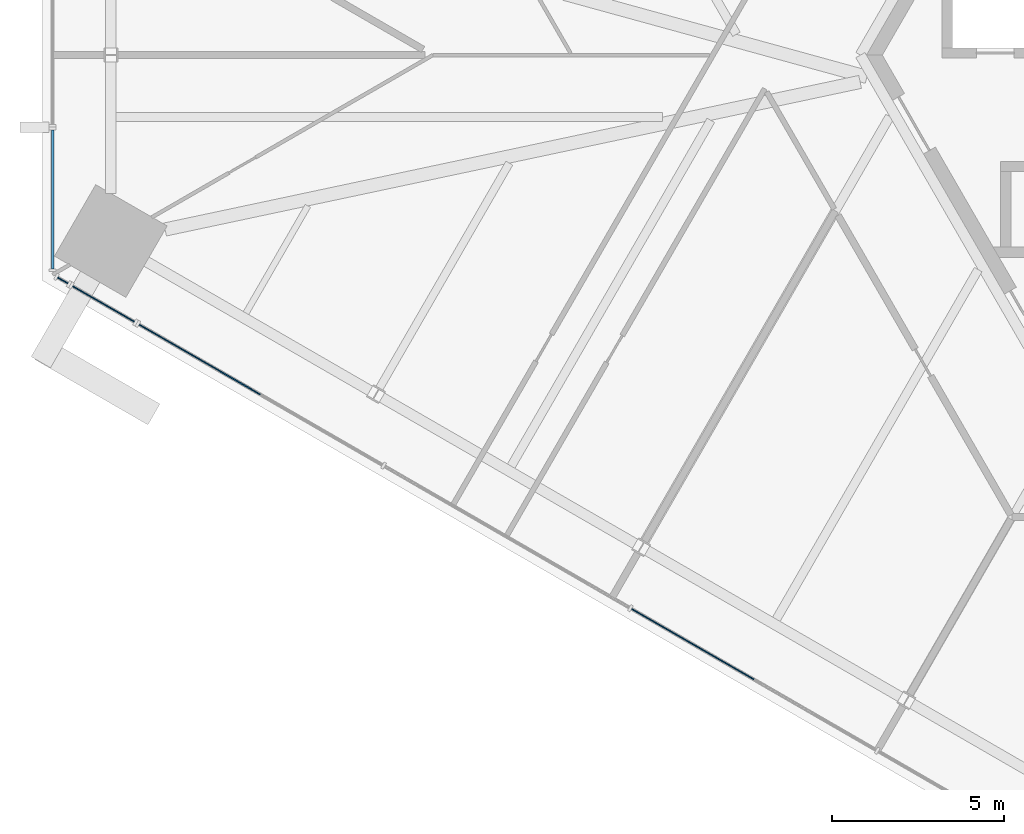
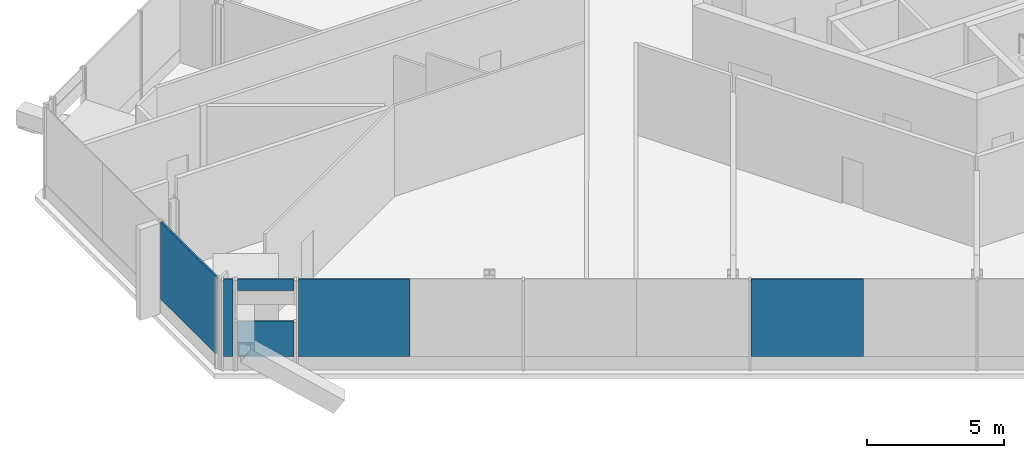
# One storey, part 11 of 22: 6 plates, 5 elements without a shape of their own.
"""IFC4 building model written with IfcOpenShell, lengths in metres."""

from ifc_helpers import new_model, si_unit, direction, frame, origin, origin_2d, place, context, subcontext, project, spatial, rectangle, extrude, source, transform, mapped, material, layer, layer_set, type_object, element, aggregate, save


model = new_model("IFC4")

# Units and contexts
model_context = context("Model", 3, precision=1e-05, world=origin(), true_north=direction((0.0, 1.0)))
body_context = subcontext(model_context, "Body", "Model", "MODEL_VIEW")
ifc_project = project(units=[si_unit("LENGTHUNIT", "METRE"), si_unit("AREAUNIT", "SQUARE_METRE"), si_unit("VOLUMEUNIT", "CUBIC_METRE"), si_unit("PLANEANGLEUNIT", "RADIAN"), si_unit("MASSUNIT", "GRAM", prefix="KILO")], contexts=[model_context])

# Site, building, storey
site_placement = place(None, origin())
site = spatial("IfcSite", under=ifc_project, at=site_placement, CompositionType="ELEMENT")
building_placement = place(site_placement, origin())
building = spatial("IfcBuilding", under=site, at=building_placement, Name="Triune Harvest Tower", CompositionType="ELEMENT")
storey_placement = place(building_placement, frame((0.0, 0.0, 50.39990234375)))
storey = spatial("IfcBuildingStorey", under=building, at=storey_placement, Name="L11", CompositionType="ELEMENT", Elevation=50.39990234375)

# Curtain wall, plate
ifc_material_1 = material(Name="Aluminium bronze anodised", Category="aluminium")
curtain_wall_type_1 = type_object("IfcCurtainWallType", Name="CW-3 Farm floor curtain wall", PredefinedType="NOTDEFINED", material=ifc_material_1)
curtain_wall_1_placement = place(storey_placement, origin())
curtain_wall_1 = element("IfcCurtainWall", 1, at=curtain_wall_1_placement, inside=storey, type_object=curtain_wall_type_1, Name="CW-3 B1-F5 L11 run 101")
ifc_material_2 = material(Name="Glass", Category="glass")
ifc_layer_1 = layer(ifc_material_2, 0.035888671875)
ifc_layer_set_1 = layer_set([ifc_layer_1], Name="Glass")
plate_type_1 = type_object("IfcPlateType", Name="GL-3 panel 36", PredefinedType="CURTAIN_PANEL", material=ifc_layer_set_1)
plate_1_placement = place(storey_placement, frame((-34.20068359375, -7.2412109375, 0.60009765625), z_axis=(0.0, 0.0, 1.0), x_axis=(0.86603051402, -0.499991148709, 0.0)))
plate_1 = element("IfcPlate", 2, at=plate_1_placement, type_object=plate_type_1, Name="CW-3 panel B1-F5 101.1", PredefinedType="CURTAIN_PANEL", context=body_context, shape_type="SweptSolid", body=[
    extrude(rectangle(XDim=2.07373046875, YDim=0.035888671875, at=origin_2d()), origin(), (0.0, 0.0, 1.0), 1.56494140625),
])
aggregate(curtain_wall_1, [plate_1])

# Curtain wall, plates
curtain_wall_2_placement = place(storey_placement, origin())
curtain_wall_2 = element("IfcCurtainWall", 3, at=curtain_wall_2_placement, inside=storey, type_object=curtain_wall_type_1, Name="CW-3 B1-F5 L11 run 301")
shared_shape_1 = source(origin(), body_context, "Body", "SweptSolid", [
    extrude(rectangle(XDim=4.06689453125, YDim=0.035888671875, at=origin_2d()), origin(), (0.0, 0.0, 1.0), 3.449951171875),
])
plate_2_placement = place(storey_placement, frame((-31.4033203125, -8.856201171875, 0.60009765625), z_axis=(0.0, 0.0, 1.0), x_axis=(0.866025760111, -0.499999382824, 0.0)))
plate_2 = element("IfcPlate", 4, at=plate_2_placement, type_object=plate_type_1, Name="CW-3 panel B1-F5 301.1", PredefinedType="CURTAIN_PANEL", context=body_context, shape_type="MappedRepresentation", body=[
    mapped(shared_shape_1, transform((0.0, 0.0, 0.0), scale=1.0)),
])
shared_shape_2 = source(origin(), body_context, "Body", "SweptSolid", [
    extrude(rectangle(XDim=4.10693359375, YDim=0.035888671875, at=origin_2d()), origin(), (0.0, 0.0, 1.0), 3.449951171875),
])
plate_3_placement = place(storey_placement, frame((-17.055419921875, -17.139892578125, 0.60009765625), z_axis=(0.0, 0.0, 1.0), x_axis=(0.866025760111, -0.499999382824, 0.0)))
plate_3 = element("IfcPlate", 5, at=plate_3_placement, type_object=plate_type_1, Name="CW-3 panel B1-F5 301.5", PredefinedType="CURTAIN_PANEL", context=body_context, shape_type="MappedRepresentation", body=[
    mapped(shared_shape_2, transform((0.0, 0.0, 0.0), scale=1.0)),
])
aggregate(curtain_wall_2, [plate_2, plate_3])

# Curtain wall, plate
ifc_material_3 = material(Name="Aluminium bronze anodised", Category="aluminium")
curtain_wall_type_2 = type_object("IfcCurtainWallType", Name="CW-8 Farm floor curtain wall with insulated spandrel infill", PredefinedType="NOTDEFINED", material=ifc_material_3)
curtain_wall_3_placement = place(storey_placement, origin())
curtain_wall_3 = element("IfcCurtainWall", 6, at=curtain_wall_3_placement, inside=storey, type_object=curtain_wall_type_2, Name="CW-8 B1-F4 L11 run 1001")
ifc_material_4 = material(Name="Insulated spandrel panel, bronze aluminium pan", Category="aluminium")
ifc_layer_2 = layer(ifc_material_4, 0.080078125)
ifc_layer_set_2 = layer_set([ifc_layer_2], Name="Insulated spandrel panel, bronze aluminium pan")
plate_type_2 = type_object("IfcPlateType", Name="SP-1 insulated spandrel panel 80", PredefinedType="CURTAIN_PANEL", material=ifc_layer_set_2)
shared_shape_3 = source(origin(), body_context, "Body", "SweptSolid", [
    extrude(rectangle(XDim=4.037841796875, YDim=0.080078125, at=origin_2d()), origin(), (0.0, 0.0, 1.0), 3.449951171875),
])
plate_4_placement = place(storey_placement, frame((-35.680419921875, -4.19775390625, 0.60009765625), z_axis=(0.0, 0.0, 1.0), x_axis=(0.0, -1.0, 0.0)))
plate_4 = element("IfcPlate", 7, at=plate_4_placement, type_object=plate_type_2, Name="CW-8 panel B1-F4 1001.1", PredefinedType="CURTAIN_PANEL", context=body_context, shape_type="MappedRepresentation", body=[
    mapped(shared_shape_3, transform((0.0, 0.0, 0.0), scale=1.0)),
])
aggregate(curtain_wall_3, [plate_4])

curtain_wall_4_placement = place(storey_placement, origin())
curtain_wall_4 = element("IfcCurtainWall", 8, at=curtain_wall_4_placement, inside=storey, type_object=curtain_wall_type_1, Name="CW-3 B1-F5 L11 run 201")
shared_shape_4 = source(origin(), body_context, "Body", "SweptSolid", [
    extrude(rectangle(XDim=2.07373046875, YDim=0.035888671875, at=origin_2d()), origin(), (0.0, 0.0, 1.0), 0.514892578125),
])
plate_5_placement = place(storey_placement, frame((-34.20068359375, -7.2412109375, 3.53515625), z_axis=(0.0, 0.0, 1.0), x_axis=(0.86603051402, -0.499991148709, 0.0)))
plate_5 = element("IfcPlate", 9, at=plate_5_placement, type_object=plate_type_1, Name="CW-3 panel B1-F5 201.1", PredefinedType="CURTAIN_PANEL", context=body_context, shape_type="MappedRepresentation", body=[
    mapped(shared_shape_4, transform((0.0, 0.0, 0.0), scale=1.0)),
])
aggregate(curtain_wall_4, [plate_5])

curtain_wall_5_placement = place(storey_placement, origin())
curtain_wall_5 = element("IfcCurtainWall", 10, at=curtain_wall_5_placement, inside=storey, type_object=curtain_wall_type_1, Name="CW-3 B1-F5 L11 run 1")
shared_shape_5 = source(origin(), body_context, "Body", "SweptSolid", [
    extrude(rectangle(XDim=0.341796875, YDim=0.035888671875, at=origin_2d()), origin(), (0.0, 0.0, 1.0), 3.449951171875),
])
plate_6_placement = place(storey_placement, frame((-35.38525390625, -6.55712890625, 0.60009765625), z_axis=(0.0, 0.0, 1.0), x_axis=(0.866039577901, -0.499975448906, 0.0)))
plate_6 = element("IfcPlate", 11, at=plate_6_placement, type_object=plate_type_1, Name="CW-3 panel B1-F5 1.1", PredefinedType="CURTAIN_PANEL", context=body_context, shape_type="MappedRepresentation", body=[
    mapped(shared_shape_5, transform((0.0, 0.0, 0.0), scale=1.0)),
])
aggregate(curtain_wall_5, [plate_6])

save(model, "model.ifc")
